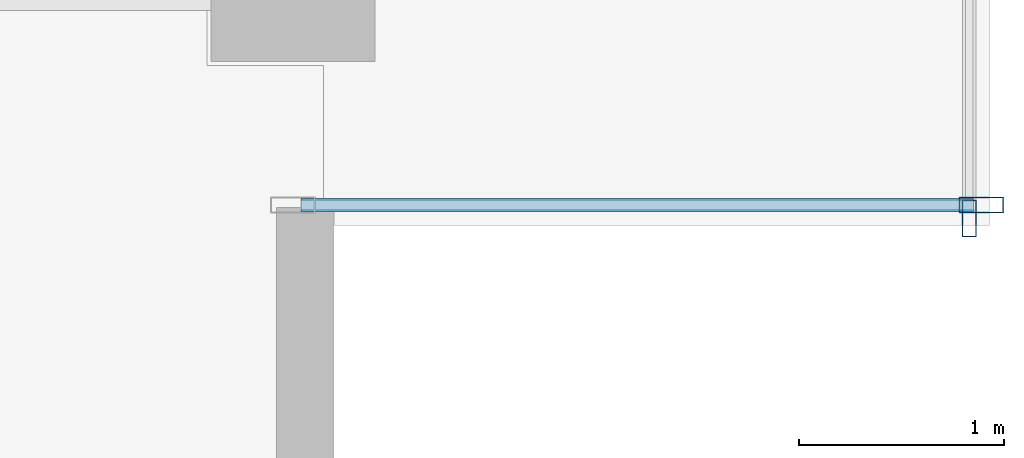
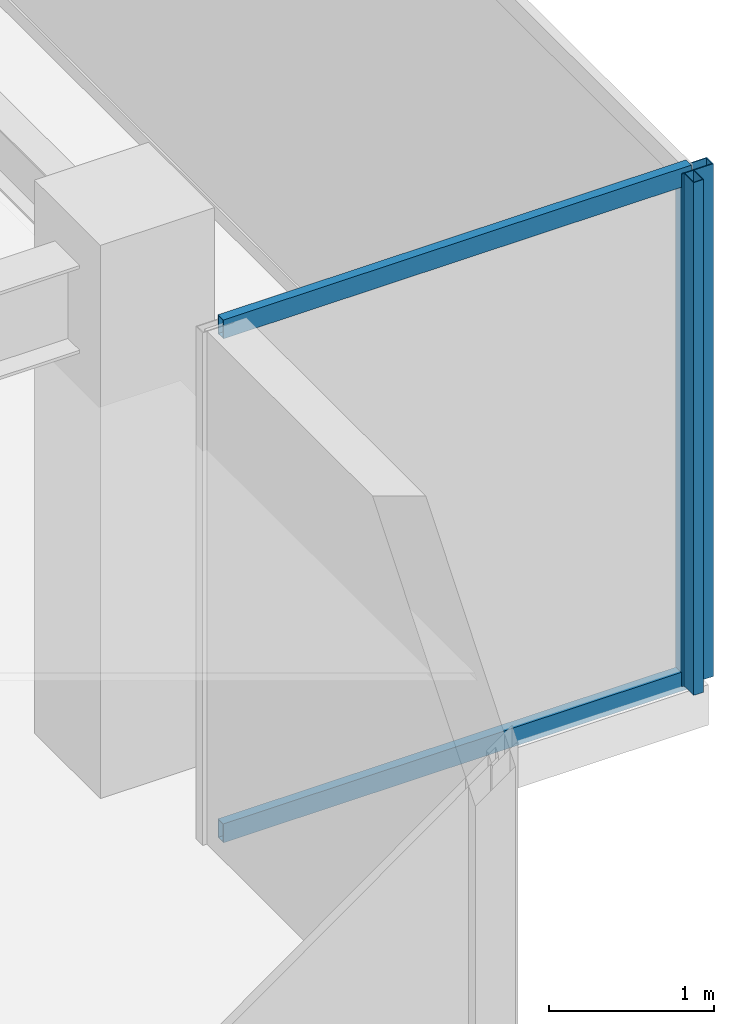
# One storey, part 22 of 35: 4 members, 2 elements without a shape of their own.
"""IFC4 building model written with IfcOpenShell, lengths in metres."""

from ifc_helpers import new_model, si_unit, direction, frame, origin, origin_2d, place, context, subcontext, project, spatial, hollow_rectangle, extrude, source, transform, mapped, material, layer, layer_set, material_profile, profile_set, type_object, type_shapes, element, aggregate, save


model = new_model("IFC4")

# Units and contexts
model_context = context("Model", 3, precision=1e-05, world=origin(), true_north=direction((0.0, 1.0)))
body_context = subcontext(model_context, "Body", "Model", "MODEL_VIEW")
ifc_project = project(units=[si_unit("LENGTHUNIT", "METRE"), si_unit("AREAUNIT", "SQUARE_METRE"), si_unit("VOLUMEUNIT", "CUBIC_METRE"), si_unit("PLANEANGLEUNIT", "RADIAN"), si_unit("MASSUNIT", "GRAM", prefix="KILO")], contexts=[model_context])

# Site, building, storey
site_placement = place(None, origin())
site = spatial("IfcSite", under=ifc_project, at=site_placement, CompositionType="ELEMENT")
building_placement = place(site_placement, origin())
building = spatial("IfcBuilding", under=site, at=building_placement, Name="Haelvirn Gate Laboratories", CompositionType="ELEMENT")
storey_placement = place(building_placement, frame((0.0, 0.0, 234.199951171875)))
storey = spatial("IfcBuildingStorey", under=building, at=storey_placement, Name="L56", CompositionType="ELEMENT", Elevation=234.199951171875)

# Curtain wall, members
ifc_material_1 = material(Name="Anodised bronze unitised aluminium & triple low-E glass", Category="aluminium")
ifc_layer_1 = layer(ifc_material_1, 0.181884765625, Name="CW-SYS-5")
ifc_layer_set_1 = layer_set([ifc_layer_1], Name="Anodised bronze unitised aluminium & triple low-E glass")
curtain_wall_type_1 = type_object("IfcCurtainWallType", Name="CW-SYS-5", PredefinedType="NOTDEFINED", material=ifc_layer_set_1)
curtain_wall_1_placement = place(storey_placement, origin())
curtain_wall_1 = element("IfcCurtainWall", 1, at=curtain_wall_1_placement, inside=storey, type_object=curtain_wall_type_1, Name="L56 Unitised Curtain Wall CW-L56-P0-E06-1", PredefinedType="NOTDEFINED")
ifc_material_2 = material(Name="Extruded aluminium 6063-T6 (anodised bronze)", Category="aluminium")
ifc_material_profile_1 = material_profile(ifc_material_2, hollow_rectangle(XDim=0.06494140625, YDim=0.139892578125, WallThickness=0.00390625, at=origin_2d()), Name="CWT-140x65x4")
ifc_profile_set_1 = profile_set([ifc_material_profile_1], Name="Extruded aluminium 6063-T6 (anodised bronze)")
member_type_1 = type_object("IfcMemberType", Name="CWT-T140", PredefinedType="USERDEFINED", material=ifc_profile_set_1)
shared_shape_1 = source(origin(), body_context, "Body", "SweptSolid", [
    extrude(hollow_rectangle(XDim=0.06494140625, YDim=0.139892578125, WallThickness=0.00390625, at=origin_2d()), origin(), (0.0, 0.0, 1.0), 3.280029296875),
])
type_shapes(member_type_1, [shared_shape_1])
member_1_placement = place(storey_placement, frame((67.43994140625, 5.89990234375, 0.032470703125), z_axis=(1.0, 0.0, 0.0), x_axis=(0.0, 1.0, 0.0)))
member_1 = element("IfcMember", 2, at=member_1_placement, type_object=member_type_1, Name="CW5 transom 1.1", ObjectType="TRANSOM", PredefinedType="USERDEFINED", context=body_context, shape_type="MappedRepresentation", body=[
    mapped(shared_shape_1, transform((0.0, 0.0, 0.0), scale=1.0)),
])
member_2_placement = place(storey_placement, frame((67.43994140625, 5.89990234375, 3.767578125), z_axis=(1.0, 0.0, 0.0), x_axis=(0.0, 1.0, 0.0)))
member_2 = element("IfcMember", 3, at=member_2_placement, type_object=member_type_1, Name="CW5 transom 1.2", ObjectType="TRANSOM", PredefinedType="USERDEFINED", context=body_context, shape_type="MappedRepresentation", body=[
    mapped(shared_shape_1, transform((0.0, 0.0, 0.0), scale=1.0)),
])

# Curtain wall, member
ifc_layer_2 = layer(ifc_material_1, 0.176025390625, Name="CW-SYS-4")
ifc_layer_set_2 = layer_set([ifc_layer_2], Name="Anodised bronze unitised aluminium & triple low-E glass")
curtain_wall_type_2 = type_object("IfcCurtainWallType", Name="CW-SYS-4", PredefinedType="NOTDEFINED", material=ifc_layer_set_2)
curtain_wall_2_placement = place(storey_placement, origin())
curtain_wall_2 = element("IfcCurtainWall", 4, at=curtain_wall_2_placement, inside=storey, type_object=curtain_wall_type_2, Name="L56 Unitised Curtain Wall CW-L56-P0-E07", PredefinedType="NOTDEFINED")
ifc_material_profile_2 = material_profile(ifc_material_2, hollow_rectangle(XDim=0.070068359375, YDim=0.179931640625, WallThickness=0.0048828125, at=origin_2d()), Name="CWM-180x70x5")
ifc_profile_set_2 = profile_set([ifc_material_profile_2], Name="Extruded aluminium 6063-T6 (anodised bronze)")
member_type_2 = type_object("IfcMemberType", Name="CWM-T180", PredefinedType="MULLION", material=ifc_profile_set_2)
shared_shape_2 = source(origin(), body_context, "Body", "SweptSolid", [
    extrude(hollow_rectangle(XDim=0.070068359375, YDim=0.179931640625, WallThickness=0.0048828125, at=origin_2d()), origin(), (0.0, 0.0, 1.0), 3.800048828125),
])
type_shapes(member_type_2, [shared_shape_2])
member_3_placement = place(storey_placement, frame((70.699951171875, 5.8349609375, 0.0), z_axis=(0.0, 0.0, 1.0), x_axis=(-1.0, 0.0, 0.0)))
member_3 = element("IfcMember", 5, at=member_3_placement, type_object=member_type_2, Name="CW4 mullion 1", PredefinedType="MULLION", context=body_context, shape_type="MappedRepresentation", body=[
    mapped(shared_shape_2, transform((0.0, 0.0, 0.0), scale=1.0)),
])
aggregate(curtain_wall_2, [member_3])

# Member
ifc_material_profile_3 = material_profile(ifc_material_2, hollow_rectangle(XDim=0.080078125, YDim=0.219970703125, WallThickness=0.006103515625, at=origin_2d()), Name="CWM-220x80x6")
ifc_profile_set_3 = profile_set([ifc_material_profile_3], Name="Extruded aluminium 6063-T6 (anodised bronze)")
member_type_3 = type_object("IfcMemberType", Name="CWM-T220", PredefinedType="MULLION", material=ifc_profile_set_3)
shared_shape_3 = source(origin(), body_context, "Body", "SweptSolid", [
    extrude(hollow_rectangle(XDim=0.080078125, YDim=0.219970703125, WallThickness=0.006103515625, at=origin_2d()), origin(), (0.0, 0.0, 1.0), 3.800048828125),
])
type_shapes(member_type_3, [shared_shape_3])
member_4_placement = place(storey_placement, frame((70.760009765625, 5.89990234375, 0.0), z_axis=(0.0, 0.0, 1.0), x_axis=(0.0, 1.0, 0.0)))
member_4 = element("IfcMember", 6, at=member_4_placement, type_object=member_type_3, Name="CW5 mullion 2", PredefinedType="MULLION", context=body_context, shape_type="MappedRepresentation", body=[
    mapped(shared_shape_3, transform((0.0, 0.0, 0.0), scale=1.0)),
])

aggregate(curtain_wall_1, [member_4, member_1, member_2])

save(model, "model.ifc")
